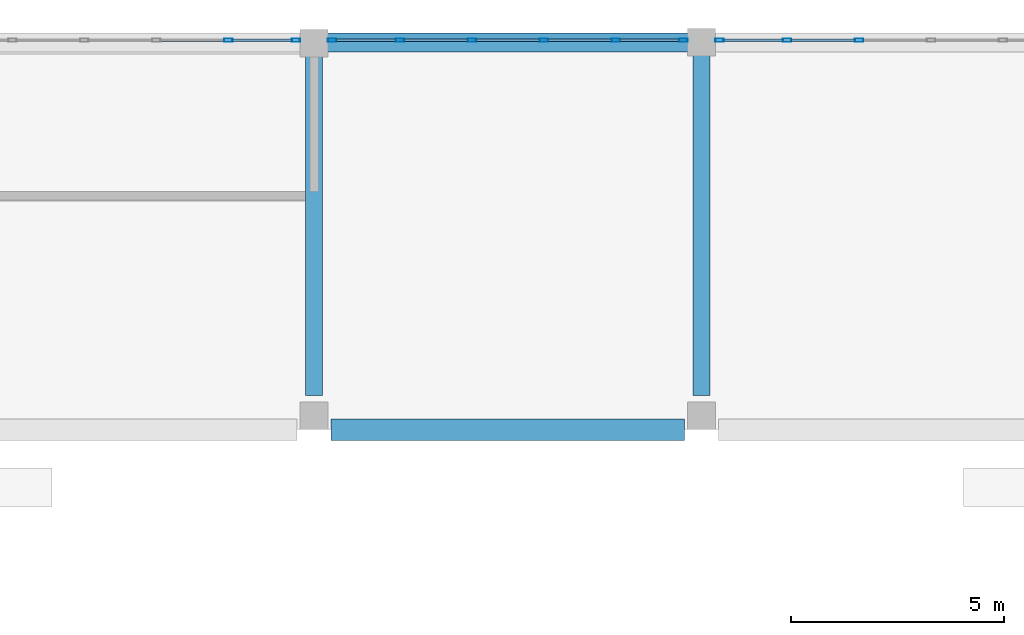
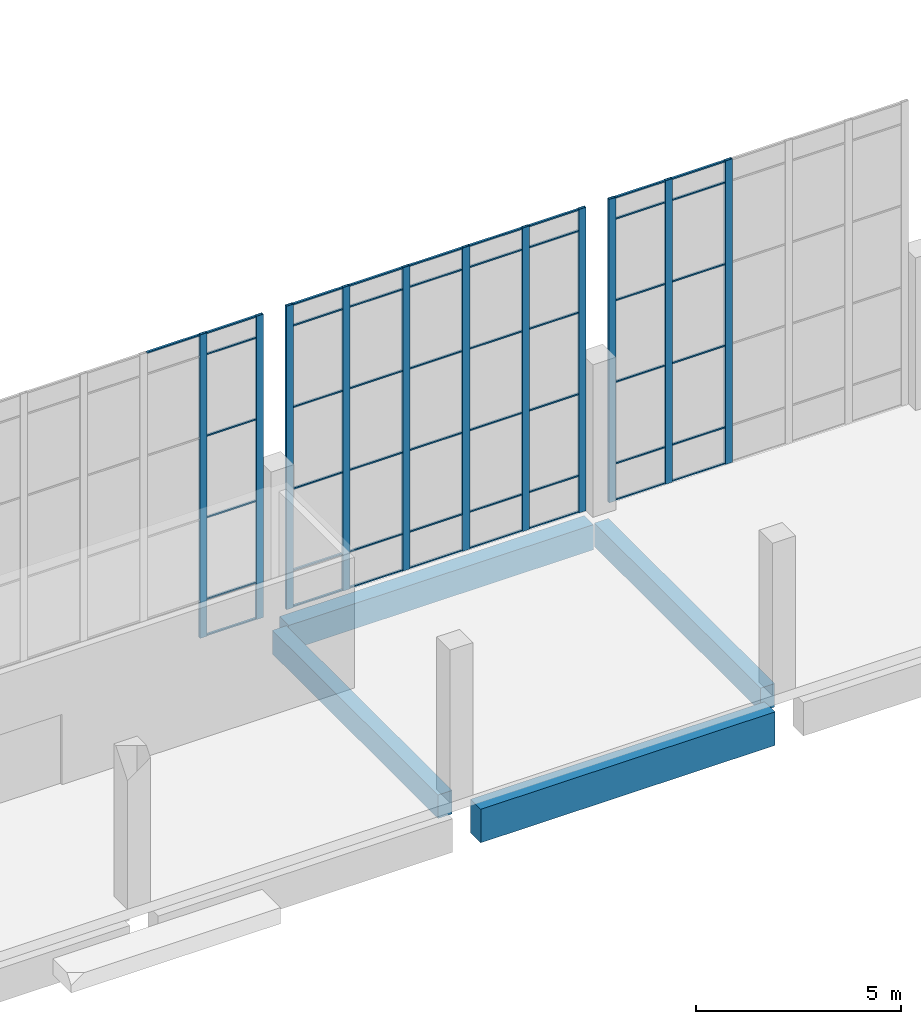
# One storey, part 22 of 91: 60 members, 4 beams, 3 elements without a shape of their own.
"""IFC4 building model written with IfcOpenShell, lengths in metres."""

import ifcopenshell
import ifcopenshell.guid

model = None  # the IFC model being written
_history = None  # IfcOwnerHistory: only IFC2X3 demands one
_inside = {}  # id of a spatial element -> (the spatial element, [elements in it])
_under = {}  # id of a project, library or spatial element -> (it, [spatial elements below it])
_declared = {}  # id of a project -> (the project, [libraries it declares])
_typed = {}  # id of a type object -> (the type object, [elements of that type])
_made_of = {}  # id of a material, layer set ... -> (it, [elements and type objects made of it])


def new_model(schema):
    """Start an empty IFC model of exactly this schema.

    Asked for "IFC4X3", IfcOpenShell would pick the latest addendum, in which some entities
    have other attributes; the version numbers below select the first issue.
    IFC2X3 requires an IfcOwnerHistory on every rooted entity: one is made here for all.
    """
    global model, _history
    if schema == "IFC4X3":
        model = ifcopenshell.file(schema_version=(4, 3, 0, 0))
    else:
        model = ifcopenshell.file(schema=schema)
    _inside.clear()
    _under.clear()
    _declared.clear()
    _typed.clear()
    _made_of.clear()
    _history = None
    if model.schema == "IFC2X3":
        org = make("IfcOrganization", Name="unknown")
        user = make(
            "IfcPersonAndOrganization",
            ThePerson=make("IfcPerson", FamilyName="unknown"),
            TheOrganization=org,
        )
        app = make(
            "IfcApplication",
            ApplicationDeveloper=org,
            Version="unknown",
            ApplicationFullName="unknown",
            ApplicationIdentifier="unknown",
        )
        _history = make(
            "IfcOwnerHistory",
            OwningUser=user,
            OwningApplication=app,
            ChangeAction="ADDED",
            CreationDate=0,
        )
    return model


def make(cls, **values):
    """One entity of the class cls with the attributes given. An attribute that is None is left unset."""
    return model.create_entity(
        cls, **{name: value for name, value in values.items() if value is not None}
    )


def rooted(cls, **values):
    """An entity with a GlobalId (a new one), such as an element, a storey or a relation."""
    return make(cls, GlobalId=ifcopenshell.guid.new(), OwnerHistory=_history, **values)


def si_unit(unit_type, name, prefix=None):
    """IfcSIUnit, for example si_unit("LENGTHUNIT", "METRE", prefix="MILLI")."""
    return make("IfcSIUnit", UnitType=unit_type, Prefix=prefix, Name=name)


def assignment(units):
    """IfcUnitAssignment: the units of a project."""
    return None if units is None else make("IfcUnitAssignment", Units=units)


def point(xyz):
    """IfcCartesianPoint."""
    return None if xyz is None else make("IfcCartesianPoint", Coordinates=xyz)


def direction(xyz):
    """IfcDirection."""
    return None if xyz is None else make("IfcDirection", DirectionRatios=xyz)


def frame(location, z_axis=None, x_axis=None):
    """IfcAxis2Placement3D, a coordinate frame: its origin and axes. An axis left out is left unset."""
    return make(
        "IfcAxis2Placement3D",
        Location=point(location),
        Axis=direction(z_axis),
        RefDirection=direction(x_axis),
    )


def frame_2d(location, x_axis=None):
    """IfcAxis2Placement2D, a coordinate frame in the plane: its origin and x axis."""
    return make(
        "IfcAxis2Placement2D", Location=point(location), RefDirection=direction(x_axis)
    )


def origin():
    """The frame at (0, 0, 0) with its axes left unset."""
    return frame((0.0, 0.0, 0.0))


def origin_2d():
    """The frame at (0, 0) in the plane with its x axis left unset."""
    return frame_2d((0.0, 0.0))


def place(relative_to, where):
    """IfcLocalPlacement: puts the frame where relative to a parent placement (None: the world)."""
    return make(
        "IfcLocalPlacement", PlacementRelTo=relative_to, RelativePlacement=where
    )


def context(
    kind, dimensions, precision=None, world=None, true_north=None, identifier=None
):
    """IfcGeometricRepresentationContext, for example the 3D "Model" context."""
    return make(
        "IfcGeometricRepresentationContext",
        ContextIdentifier=identifier,
        ContextType=kind,
        CoordinateSpaceDimension=dimensions,
        Precision=precision,
        WorldCoordinateSystem=world,
        TrueNorth=true_north,
    )


def subcontext(parent, identifier, kind, view, scale=None):
    """IfcGeometricRepresentationSubContext, for example "Body" below "Model"."""
    return make(
        "IfcGeometricRepresentationSubContext",
        ContextIdentifier=identifier,
        ContextType=kind,
        ParentContext=parent,
        TargetScale=scale,
        TargetView=view,
    )


def project(units=None, contexts=None):
    """IfcProject with its units and contexts."""
    return rooted(
        "IfcProject",
        Name="project",
        RepresentationContexts=contexts,
        UnitsInContext=assignment(units),
    )


def spatial(cls, under=None, at=None, **own):
    """A site, building, storey or space (cls), placed at a placement, below another one or the project."""
    s = rooted(cls, ObjectPlacement=at, **own)
    if under is not None:
        _under.setdefault(under.id(), (under, []))[1].append(s)
    return s


def profile(cls, at=None, kind="AREA", **sizes):
    """A parametric profile (cls). Its sizes go by their IFC names, for example OverallWidth=200.0."""
    return make(cls, ProfileType=kind, Position=at, **sizes)


def rectangle(**sizes):
    """IfcRectangleProfileDef."""
    return profile("IfcRectangleProfileDef", **sizes)


def hollow_rectangle(**sizes):
    """IfcRectangleHollowProfileDef."""
    return profile("IfcRectangleHollowProfileDef", **sizes)


def extrude(swept, where, along, depth):
    """IfcExtrudedAreaSolid: the profile swept, set in the frame where, extruded along a direction by depth."""
    return make(
        "IfcExtrudedAreaSolid",
        SweptArea=swept,
        Position=where,
        ExtrudedDirection=direction(along),
        Depth=depth,
    )


def shape(context_of_items, identifier, shape_type, items):
    """IfcShapeRepresentation: the items that make up one representation, for example the "Body"."""
    return make(
        "IfcShapeRepresentation",
        ContextOfItems=context_of_items,
        RepresentationIdentifier=identifier,
        RepresentationType=shape_type,
        Items=items,
    )


def material(Name=None, Category=None):
    """IfcMaterial."""
    return make("IfcMaterial", Name=Name, Category=Category)


def layer(
    of_material, thickness, ventilated=None, Name=None, Category=None, Priority=None
):
    """IfcMaterialLayer: one layer of a wall or slab, of a material (None: an air gap)."""
    return make(
        "IfcMaterialLayer",
        Material=of_material,
        LayerThickness=thickness,
        IsVentilated=ventilated,
        Name=Name,
        Category=Category,
        Priority=Priority,
    )


def layer_set(layers, Name=None):
    """IfcMaterialLayerSet."""
    return make("IfcMaterialLayerSet", MaterialLayers=layers, LayerSetName=Name)


def material_profile(
    of_material, cross_section, Name=None, Category=None, Priority=None
):
    """IfcMaterialProfile: a cross section and its material."""
    return make(
        "IfcMaterialProfile",
        Name=Name,
        Material=of_material,
        Profile=cross_section,
        Priority=Priority,
        Category=Category,
    )


def profile_set(profiles, Name=None, composite=None):
    """IfcMaterialProfileSet."""
    return make(
        "IfcMaterialProfileSet",
        Name=Name,
        MaterialProfiles=profiles,
        CompositeProfile=composite,
    )


def made_of(thing, what):
    """Note that an element or type object is made of a material, layer set ...; save() writes the relation."""
    if what is not None:
        _made_of.setdefault(what.id(), (what, []))[1].append(thing)
    return thing


def type_object(cls, material=None, **own):
    """A type object (cls), such as IfcWallType, which elements share."""
    return made_of(rooted(cls, **own), material)


def element(
    cls,
    number,
    at=None,
    inside=None,
    cuts=None,
    type_object=None,
    material=None,
    context=None,
    identifier="Body",
    shape_type=None,
    held_by="IfcProductDefinitionShape",
    body=None,
    shapes=None,
    **own,
):
    """One element of the class cls, such as IfcWall. Its Tag is "e" and its number.

    at: its placement. inside: the storey or other place that contains it. cuts: it is an
    opening in that element (IfcRelVoidsElement). A single representation is given by context,
    identifier, shape_type and body (its items); several are given by shapes. held_by: the class
    of the entity that holds the representations. save() writes the other relations.
    """
    e = rooted(cls, Tag="e%d" % number, ObjectPlacement=at, **own)
    if body is not None:
        shapes = [shape(context, identifier, shape_type, body)]
    if shapes is not None:
        e.Representation = make(held_by, Representations=shapes)
    if inside is not None:
        _inside.setdefault(inside.id(), (inside, []))[1].append(e)
    if cuts is not None:
        rooted(
            "IfcRelVoidsElement", RelatingBuildingElement=cuts, RelatedOpeningElement=e
        )
    if type_object is not None:
        _typed.setdefault(type_object.id(), (type_object, []))[1].append(e)
    return made_of(e, material)


def aggregate(whole, parts):
    """IfcRelAggregates: a whole, such as a stair, and the parts it consists of."""
    return rooted("IfcRelAggregates", RelatingObject=whole, RelatedObjects=parts)


def save(model, path):
    """Write the relations noted so far, then the file.

    IfcRelAggregates (storeys below a building ...), IfcRelContainedInSpatialStructure (elements
    in a storey), IfcRelDefinesByType, IfcRelAssociatesMaterial and IfcRelDeclares: one each for
    every whole, place, type object, material and project.
    """
    for whole, parts in _under.values():
        aggregate(whole, parts)
    for where, things in _inside.values():
        rooted(
            "IfcRelContainedInSpatialStructure",
            RelatedElements=things,
            RelatingStructure=where,
        )
    for kind, things in _typed.values():
        rooted("IfcRelDefinesByType", RelatedObjects=things, RelatingType=kind)
    for what, things in _made_of.values():
        rooted("IfcRelAssociatesMaterial", RelatedObjects=things, RelatingMaterial=what)
    for by, libraries in _declared.values():
        rooted("IfcRelDeclares", RelatingContext=by, RelatedDefinitions=libraries)
    model.write(path)


model = new_model("IFC4")

# Units and contexts
model_context = context("Model", 3, precision=1e-05, world=origin(), true_north=direction((0.0, 1.0)))
body_context = subcontext(model_context, "Body", "Model", "MODEL_VIEW")
ifc_project = project(units=[si_unit("LENGTHUNIT", "METRE"), si_unit("AREAUNIT", "SQUARE_METRE"), si_unit("VOLUMEUNIT", "CUBIC_METRE"), si_unit("PLANEANGLEUNIT", "RADIAN"), si_unit("MASSUNIT", "GRAM", prefix="KILO")], contexts=[model_context])

# Site, building, storey
site_placement = place(None, origin())
site = spatial("IfcSite", under=ifc_project, at=site_placement, CompositionType="ELEMENT")
building_placement = place(site_placement, origin())
building = spatial("IfcBuilding", under=site, at=building_placement, Name="Shirokan Park Arena", CompositionType="ELEMENT")
storey_placement = place(building_placement, frame((0.0, 0.0, 24.570068359375)))
storey = spatial("IfcBuildingStorey", under=building, at=storey_placement, Name="L05", CompositionType="ELEMENT", Elevation=24.570068359375)

# Curtain wall, members
ifc_material_1 = material(Name="Steel and glass curtain wall", Category="steel")
ifc_layer = layer(ifc_material_1, 0.199951171875)
ifc_layer_set = layer_set([ifc_layer], Name="Steel and glass curtain wall 200 mm")
curtain_wall_type = type_object("IfcCurtainWallType", Name="Curtain wall hall bay 200", PredefinedType="NOTDEFINED", material=ifc_layer_set)
curtain_wall_1_placement = place(storey_placement, origin())
curtain_wall_1 = element("IfcCurtainWall", 1, at=curtain_wall_1_placement, inside=storey, type_object=curtain_wall_type, Name="Curtain wall north bay 6 L05", PredefinedType="NOTDEFINED")
ifc_material_2 = material(Name="Steel S355", Category="steel")
ifc_material_profile_1 = material_profile(ifc_material_2, hollow_rectangle(XDim=0.080078125, YDim=0.199951171875, WallThickness=0.008056640625, at=origin_2d()), Name="RHS 200x80x8")
ifc_profile_set_1 = profile_set([ifc_material_profile_1], Name="Steel S355")
member_type_1 = type_object("IfcMemberType", Name="Mullion RHS 200x80x8", PredefinedType="MULLION", material=ifc_profile_set_1)
member_1_placement = place(storey_placement, frame((94.705078125, 109.25, 0.0), z_axis=(0.0, 0.0, 1.0), x_axis=(0.0, -1.0, 0.0)))
member_1 = element("IfcMember", 2, at=member_1_placement, type_object=member_type_1, Name="CW5 mullion 4", PredefinedType="MULLION", context=body_context, shape_type="SweptSolid", body=[
    extrude(hollow_rectangle(XDim=0.080078125, YDim=0.199951171875, WallThickness=0.008056640625, at=origin_2d()), origin(), (0.0, 0.0, 1.0), 9.050048828125),
])
member_2_placement = place(storey_placement, frame((93.014892578125, 109.25, 0.0), z_axis=(0.0, 0.0, 1.0), x_axis=(0.0, -1.0, 0.0)))
member_2 = element("IfcMember", 3, at=member_2_placement, type_object=member_type_1, Name="CW5 mullion 5", PredefinedType="MULLION", context=body_context, shape_type="SweptSolid", body=[
    extrude(hollow_rectangle(XDim=0.080078125, YDim=0.199951171875, WallThickness=0.008056640625, at=origin_2d()), origin(), (0.0, 0.0, 1.0), 9.050048828125),
])
member_3_placement = place(storey_placement, frame((91.425048828125, 109.25, 0.0), z_axis=(0.0, 0.0, 1.0), x_axis=(0.0, -1.0, 0.0)))
member_3 = element("IfcMember", 4, at=member_3_placement, type_object=member_type_1, Name="CW5 mullion 6", PredefinedType="MULLION", context=body_context, shape_type="SweptSolid", body=[
    extrude(hollow_rectangle(XDim=0.080078125, YDim=0.199951171875, WallThickness=0.008056640625, at=origin_2d()), origin(), (0.0, 0.0, 1.0), 9.050048828125),
])

curtain_wall_2_placement = place(storey_placement, origin())
curtain_wall_2 = element("IfcCurtainWall", 5, at=curtain_wall_2_placement, inside=storey, type_object=curtain_wall_type, Name="Curtain wall north bay 7 L05", PredefinedType="NOTDEFINED")
member_4_placement = place(storey_placement, frame((90.574951171875, 109.25, 0.0), z_axis=(0.0, 0.0, 1.0), x_axis=(0.0, -1.0, 0.0)))
member_4 = element("IfcMember", 6, at=member_4_placement, type_object=member_type_1, Name="CW5 mullion 1", PredefinedType="MULLION", context=body_context, shape_type="SweptSolid", body=[
    extrude(hollow_rectangle(XDim=0.080078125, YDim=0.199951171875, WallThickness=0.008056640625, at=origin_2d()), origin(), (0.0, 0.0, 1.0), 9.050048828125),
])
member_5_placement = place(storey_placement, frame((88.985107421875, 109.25, 0.0), z_axis=(0.0, 0.0, 1.0), x_axis=(0.0, -1.0, 0.0)))
member_5 = element("IfcMember", 7, at=member_5_placement, type_object=member_type_1, Name="CW5 mullion 2", PredefinedType="MULLION", context=body_context, shape_type="SweptSolid", body=[
    extrude(hollow_rectangle(XDim=0.080078125, YDim=0.199951171875, WallThickness=0.008056640625, at=origin_2d()), origin(), (0.0, 0.0, 1.0), 9.050048828125),
])
member_6_placement = place(storey_placement, frame((87.294921875, 109.25, 0.0), z_axis=(0.0, 0.0, 1.0), x_axis=(0.0, -1.0, 0.0)))
member_6 = element("IfcMember", 8, at=member_6_placement, type_object=member_type_1, Name="CW5 mullion 3", PredefinedType="MULLION", context=body_context, shape_type="SweptSolid", body=[
    extrude(hollow_rectangle(XDim=0.080078125, YDim=0.199951171875, WallThickness=0.008056640625, at=origin_2d()), origin(), (0.0, 0.0, 1.0), 9.050048828125),
])
member_7_placement = place(storey_placement, frame((85.60498046875, 109.25, 0.0), z_axis=(0.0, 0.0, 1.0), x_axis=(0.0, -1.0, 0.0)))
member_7 = element("IfcMember", 9, at=member_7_placement, type_object=member_type_1, Name="CW5 mullion 4", PredefinedType="MULLION", context=body_context, shape_type="SweptSolid", body=[
    extrude(hollow_rectangle(XDim=0.080078125, YDim=0.199951171875, WallThickness=0.008056640625, at=origin_2d()), origin(), (0.0, 0.0, 1.0), 9.050048828125),
])
member_8_placement = place(storey_placement, frame((83.9150390625, 109.25, 0.0), z_axis=(0.0, 0.0, 1.0), x_axis=(0.0, -1.0, 0.0)))
member_8 = element("IfcMember", 10, at=member_8_placement, type_object=member_type_1, Name="CW5 mullion 5", PredefinedType="MULLION", context=body_context, shape_type="SweptSolid", body=[
    extrude(hollow_rectangle(XDim=0.080078125, YDim=0.199951171875, WallThickness=0.008056640625, at=origin_2d()), origin(), (0.0, 0.0, 1.0), 9.050048828125),
])
member_9_placement = place(storey_placement, frame((82.324951171875, 109.25, 0.0), z_axis=(0.0, 0.0, 1.0), x_axis=(0.0, -1.0, 0.0)))
member_9 = element("IfcMember", 11, at=member_9_placement, type_object=member_type_1, Name="CW5 mullion 6", PredefinedType="MULLION", context=body_context, shape_type="SweptSolid", body=[
    extrude(hollow_rectangle(XDim=0.080078125, YDim=0.199951171875, WallThickness=0.008056640625, at=origin_2d()), origin(), (0.0, 0.0, 1.0), 9.050048828125),
])

curtain_wall_3_placement = place(storey_placement, origin())
curtain_wall_3 = element("IfcCurtainWall", 12, at=curtain_wall_3_placement, inside=storey, type_object=curtain_wall_type, Name="Curtain wall north bay 8 L05", PredefinedType="NOTDEFINED")
member_10_placement = place(storey_placement, frame((81.47509765625, 109.25, 0.0), z_axis=(0.0, 0.0, 1.0), x_axis=(0.0, -1.0, 0.0)))
member_10 = element("IfcMember", 13, at=member_10_placement, type_object=member_type_1, Name="CW5 mullion 1", PredefinedType="MULLION", context=body_context, shape_type="SweptSolid", body=[
    extrude(hollow_rectangle(XDim=0.080078125, YDim=0.199951171875, WallThickness=0.008056640625, at=origin_2d()), origin(), (0.0, 0.0, 1.0), 9.050048828125),
])
member_11_placement = place(storey_placement, frame((79.885009765625, 109.25, 0.0), z_axis=(0.0, 0.0, 1.0), x_axis=(0.0, -1.0, 0.0)))
member_11 = element("IfcMember", 14, at=member_11_placement, type_object=member_type_1, Name="CW5 mullion 2", PredefinedType="MULLION", context=body_context, shape_type="SweptSolid", body=[
    extrude(hollow_rectangle(XDim=0.080078125, YDim=0.199951171875, WallThickness=0.008056640625, at=origin_2d()), origin(), (0.0, 0.0, 1.0), 9.050048828125),
])

# Beams
ifc_material_3 = material(Name="Concrete C35", Category="concrete")
ifc_material_profile_2 = material_profile(ifc_material_3, rectangle(XDim=0.39990234375, YDim=0.699951171875, at=origin_2d()), Name="400x700")
ifc_profile_set_2 = profile_set([ifc_material_profile_2], Name="Concrete C35")
beam_type_1 = type_object("IfcBeamType", Name="RC girder 400x700", PredefinedType="BEAM", material=ifc_profile_set_2)
beam_1_placement = place(storey_placement, frame((81.89990234375, 100.900146484375, -0.650146484375), z_axis=(0.0, 1.0, 0.0), x_axis=(-1.0, 0.0, 0.0)))
element("IfcBeam", 15, at=beam_1_placement, inside=storey, type_object=beam_type_1, Name="Girder 10M-10N L05", PredefinedType="BEAM", context=body_context, shape_type="SweptSolid", body=[
    extrude(rectangle(XDim=0.39990234375, YDim=0.699951171875, at=origin_2d()), origin(), (0.0, 0.0, 1.0), 8.099853515625),
])
beam_2_placement = place(storey_placement, frame((91.0, 100.900146484375, -0.650146484375), z_axis=(0.0, 1.0, 0.0), x_axis=(-1.0, 0.0, 0.0)))
element("IfcBeam", 16, at=beam_2_placement, inside=storey, type_object=beam_type_1, Name="Girder 11M-11N L05", PredefinedType="BEAM", context=body_context, shape_type="SweptSolid", body=[
    extrude(rectangle(XDim=0.39990234375, YDim=0.699951171875, at=origin_2d()), origin(), (0.0, 0.0, 1.0), 8.124755859375),
])
ifc_material_profile_3 = material_profile(ifc_material_3, rectangle(XDim=0.449951171875, YDim=0.75, at=origin_2d()), Name="450x750")
ifc_profile_set_3 = profile_set([ifc_material_profile_3], Name="Concrete C35")
beam_type_2 = type_object("IfcBeamType", Name="RC girder 450x750", PredefinedType="BEAM", material=ifc_profile_set_3)
beam_3_placement = place(storey_placement, frame((82.150146484375, 109.199951171875, -0.675048828125), z_axis=(1.0, 0.0, 0.0), x_axis=(0.0, 1.0, 0.0)))
element("IfcBeam", 17, at=beam_3_placement, inside=storey, type_object=beam_type_2, Name="Girder 10N-11N L05", PredefinedType="BEAM", context=body_context, shape_type="SweptSolid", body=[
    extrude(rectangle(XDim=0.449951171875, YDim=0.75, at=origin_2d()), origin(), (0.0, 0.0, 1.0), 8.599853515625),
])
ifc_material_profile_4 = material_profile(ifc_material_3, rectangle(XDim=0.5, YDim=1.0, at=origin_2d()), Name="500x1000")
ifc_profile_set_4 = profile_set([ifc_material_profile_4], Name="Concrete C35")
beam_type_3 = type_object("IfcBeamType", Name="RC girder 500x1000", PredefinedType="BEAM", material=ifc_profile_set_4)
beam_4_placement = place(storey_placement, frame((82.300048828125, 100.10009765625, -0.800048828125), z_axis=(1.0, 0.0, 0.0), x_axis=(0.0, 1.0, 0.0)))
element("IfcBeam", 18, at=beam_4_placement, inside=storey, type_object=beam_type_3, Name="Girder 10M-11M L05", PredefinedType="BEAM", context=body_context, shape_type="SweptSolid", body=[
    extrude(rectangle(XDim=0.5, YDim=1.0, at=origin_2d()), origin(), (0.0, 0.0, 1.0), 8.2998046875),
])

# Member
ifc_material_profile_5 = material_profile(ifc_material_2, hollow_rectangle(XDim=0.06005859375, YDim=0.0400390625, WallThickness=0.00390625, at=origin_2d()), Name="RHS 60x40x4")
ifc_profile_set_5 = profile_set([ifc_material_profile_5], Name="Steel S355")
member_type_2 = type_object("IfcMemberType", Name="Transom RHS 60x40x4", PredefinedType="MULLION", material=ifc_profile_set_5)
member_12_placement = place(storey_placement, frame((94.60498046875, 109.25, 0.02001953125), z_axis=(-1.0, 0.0, 0.0), x_axis=(0.0, -1.0, 0.0)))
member_12 = element("IfcMember", 19, at=member_12_placement, type_object=member_type_2, Name="CW5 transom 4.1", PredefinedType="MULLION", context=body_context, shape_type="SweptSolid", body=[
    extrude(hollow_rectangle(XDim=0.06005859375, YDim=0.0400390625, WallThickness=0.00390625, at=origin_2d()), origin(), (0.0, 0.0, 1.0), 1.489990234375),
])

member_13_placement = place(storey_placement, frame((94.60498046875, 109.25, 1.099853515625), z_axis=(-1.0, 0.0, 0.0), x_axis=(0.0, -1.0, 0.0)))
member_13 = element("IfcMember", 20, at=member_13_placement, type_object=member_type_2, Name="CW5 transom 4.2", PredefinedType="MULLION", context=body_context, shape_type="SweptSolid", body=[
    extrude(hollow_rectangle(XDim=0.06005859375, YDim=0.0400390625, WallThickness=0.00390625, at=origin_2d()), origin(), (0.0, 0.0, 1.0), 1.489990234375),
])

member_14_placement = place(storey_placement, frame((94.60498046875, 109.25, 3.533203125), z_axis=(-1.0, 0.0, 0.0), x_axis=(0.0, -1.0, 0.0)))
member_14 = element("IfcMember", 21, at=member_14_placement, type_object=member_type_2, Name="CW5 transom 4.3", PredefinedType="MULLION", context=body_context, shape_type="SweptSolid", body=[
    extrude(hollow_rectangle(XDim=0.06005859375, YDim=0.0400390625, WallThickness=0.00390625, at=origin_2d()), origin(), (0.0, 0.0, 1.0), 1.489990234375),
])

member_15_placement = place(storey_placement, frame((94.60498046875, 109.25, 5.966552734375), z_axis=(-1.0, 0.0, 0.0), x_axis=(0.0, -1.0, 0.0)))
member_15 = element("IfcMember", 22, at=member_15_placement, type_object=member_type_2, Name="CW5 transom 4.4", PredefinedType="MULLION", context=body_context, shape_type="SweptSolid", body=[
    extrude(hollow_rectangle(XDim=0.06005859375, YDim=0.0400390625, WallThickness=0.00390625, at=origin_2d()), origin(), (0.0, 0.0, 1.0), 1.489990234375),
])

member_16_placement = place(storey_placement, frame((94.60498046875, 109.25, 8.39990234375), z_axis=(-1.0, 0.0, 0.0), x_axis=(0.0, -1.0, 0.0)))
member_16 = element("IfcMember", 23, at=member_16_placement, type_object=member_type_2, Name="CW5 transom 4.5", PredefinedType="MULLION", context=body_context, shape_type="SweptSolid", body=[
    extrude(hollow_rectangle(XDim=0.06005859375, YDim=0.0400390625, WallThickness=0.00390625, at=origin_2d()), origin(), (0.0, 0.0, 1.0), 1.489990234375),
])

member_17_placement = place(storey_placement, frame((94.60498046875, 109.25, 9.030029296875), z_axis=(-1.0, 0.0, 0.0), x_axis=(0.0, -1.0, 0.0)))
member_17 = element("IfcMember", 24, at=member_17_placement, type_object=member_type_2, Name="CW5 transom 4.6", PredefinedType="MULLION", context=body_context, shape_type="SweptSolid", body=[
    extrude(hollow_rectangle(XDim=0.06005859375, YDim=0.0400390625, WallThickness=0.00390625, at=origin_2d()), origin(), (0.0, 0.0, 1.0), 1.489990234375),
])

member_18_placement = place(storey_placement, frame((92.9150390625, 109.25, 0.02001953125), z_axis=(-1.0, 0.0, 0.0), x_axis=(0.0, -1.0, 0.0)))
member_18 = element("IfcMember", 25, at=member_18_placement, type_object=member_type_2, Name="CW5 transom 5.1", PredefinedType="MULLION", context=body_context, shape_type="SweptSolid", body=[
    extrude(hollow_rectangle(XDim=0.06005859375, YDim=0.0400390625, WallThickness=0.00390625, at=origin_2d()), origin(), (0.0, 0.0, 1.0), 1.39013671875),
])

member_19_placement = place(storey_placement, frame((92.9150390625, 109.25, 1.099853515625), z_axis=(-1.0, 0.0, 0.0), x_axis=(0.0, -1.0, 0.0)))
member_19 = element("IfcMember", 26, at=member_19_placement, type_object=member_type_2, Name="CW5 transom 5.2", PredefinedType="MULLION", context=body_context, shape_type="SweptSolid", body=[
    extrude(hollow_rectangle(XDim=0.06005859375, YDim=0.0400390625, WallThickness=0.00390625, at=origin_2d()), origin(), (0.0, 0.0, 1.0), 1.39013671875),
])

member_20_placement = place(storey_placement, frame((92.9150390625, 109.25, 3.533203125), z_axis=(-1.0, 0.0, 0.0), x_axis=(0.0, -1.0, 0.0)))
member_20 = element("IfcMember", 27, at=member_20_placement, type_object=member_type_2, Name="CW5 transom 5.3", PredefinedType="MULLION", context=body_context, shape_type="SweptSolid", body=[
    extrude(hollow_rectangle(XDim=0.06005859375, YDim=0.0400390625, WallThickness=0.00390625, at=origin_2d()), origin(), (0.0, 0.0, 1.0), 1.39013671875),
])

member_21_placement = place(storey_placement, frame((92.9150390625, 109.25, 5.966552734375), z_axis=(-1.0, 0.0, 0.0), x_axis=(0.0, -1.0, 0.0)))
member_21 = element("IfcMember", 28, at=member_21_placement, type_object=member_type_2, Name="CW5 transom 5.4", PredefinedType="MULLION", context=body_context, shape_type="SweptSolid", body=[
    extrude(hollow_rectangle(XDim=0.06005859375, YDim=0.0400390625, WallThickness=0.00390625, at=origin_2d()), origin(), (0.0, 0.0, 1.0), 1.39013671875),
])

member_22_placement = place(storey_placement, frame((92.9150390625, 109.25, 8.39990234375), z_axis=(-1.0, 0.0, 0.0), x_axis=(0.0, -1.0, 0.0)))
member_22 = element("IfcMember", 29, at=member_22_placement, type_object=member_type_2, Name="CW5 transom 5.5", PredefinedType="MULLION", context=body_context, shape_type="SweptSolid", body=[
    extrude(hollow_rectangle(XDim=0.06005859375, YDim=0.0400390625, WallThickness=0.00390625, at=origin_2d()), origin(), (0.0, 0.0, 1.0), 1.39013671875),
])

member_23_placement = place(storey_placement, frame((92.9150390625, 109.25, 9.030029296875), z_axis=(-1.0, 0.0, 0.0), x_axis=(0.0, -1.0, 0.0)))
member_23 = element("IfcMember", 30, at=member_23_placement, type_object=member_type_2, Name="CW5 transom 5.6", PredefinedType="MULLION", context=body_context, shape_type="SweptSolid", body=[
    extrude(hollow_rectangle(XDim=0.06005859375, YDim=0.0400390625, WallThickness=0.00390625, at=origin_2d()), origin(), (0.0, 0.0, 1.0), 1.39013671875),
])

aggregate(curtain_wall_1, [member_1, member_2, member_3, member_12, member_13, member_14, member_15, member_16, member_17, member_18, member_19, member_20, member_21, member_22, member_23])

member_24_placement = place(storey_placement, frame((90.47509765625, 109.25, 0.02001953125), z_axis=(-1.0, 0.0, 0.0), x_axis=(0.0, -1.0, 0.0)))
member_24 = element("IfcMember", 31, at=member_24_placement, type_object=member_type_2, Name="CW5 transom 1.1", PredefinedType="MULLION", context=body_context, shape_type="SweptSolid", body=[
    extrude(hollow_rectangle(XDim=0.06005859375, YDim=0.0400390625, WallThickness=0.00390625, at=origin_2d()), origin(), (0.0, 0.0, 1.0), 1.39013671875),
])

member_25_placement = place(storey_placement, frame((90.47509765625, 109.25, 1.099853515625), z_axis=(-1.0, 0.0, 0.0), x_axis=(0.0, -1.0, 0.0)))
member_25 = element("IfcMember", 32, at=member_25_placement, type_object=member_type_2, Name="CW5 transom 1.2", PredefinedType="MULLION", context=body_context, shape_type="SweptSolid", body=[
    extrude(hollow_rectangle(XDim=0.06005859375, YDim=0.0400390625, WallThickness=0.00390625, at=origin_2d()), origin(), (0.0, 0.0, 1.0), 1.39013671875),
])

member_26_placement = place(storey_placement, frame((90.47509765625, 109.25, 3.533203125), z_axis=(-1.0, 0.0, 0.0), x_axis=(0.0, -1.0, 0.0)))
member_26 = element("IfcMember", 33, at=member_26_placement, type_object=member_type_2, Name="CW5 transom 1.3", PredefinedType="MULLION", context=body_context, shape_type="SweptSolid", body=[
    extrude(hollow_rectangle(XDim=0.06005859375, YDim=0.0400390625, WallThickness=0.00390625, at=origin_2d()), origin(), (0.0, 0.0, 1.0), 1.39013671875),
])

member_27_placement = place(storey_placement, frame((90.47509765625, 109.25, 5.966552734375), z_axis=(-1.0, 0.0, 0.0), x_axis=(0.0, -1.0, 0.0)))
member_27 = element("IfcMember", 34, at=member_27_placement, type_object=member_type_2, Name="CW5 transom 1.4", PredefinedType="MULLION", context=body_context, shape_type="SweptSolid", body=[
    extrude(hollow_rectangle(XDim=0.06005859375, YDim=0.0400390625, WallThickness=0.00390625, at=origin_2d()), origin(), (0.0, 0.0, 1.0), 1.39013671875),
])

member_28_placement = place(storey_placement, frame((90.47509765625, 109.25, 8.39990234375), z_axis=(-1.0, 0.0, 0.0), x_axis=(0.0, -1.0, 0.0)))
member_28 = element("IfcMember", 35, at=member_28_placement, type_object=member_type_2, Name="CW5 transom 1.5", PredefinedType="MULLION", context=body_context, shape_type="SweptSolid", body=[
    extrude(hollow_rectangle(XDim=0.06005859375, YDim=0.0400390625, WallThickness=0.00390625, at=origin_2d()), origin(), (0.0, 0.0, 1.0), 1.39013671875),
])

member_29_placement = place(storey_placement, frame((90.47509765625, 109.25, 9.030029296875), z_axis=(-1.0, 0.0, 0.0), x_axis=(0.0, -1.0, 0.0)))
member_29 = element("IfcMember", 36, at=member_29_placement, type_object=member_type_2, Name="CW5 transom 1.6", PredefinedType="MULLION", context=body_context, shape_type="SweptSolid", body=[
    extrude(hollow_rectangle(XDim=0.06005859375, YDim=0.0400390625, WallThickness=0.00390625, at=origin_2d()), origin(), (0.0, 0.0, 1.0), 1.39013671875),
])

member_30_placement = place(storey_placement, frame((88.885009765625, 109.25, 0.02001953125), z_axis=(-1.0, 0.0, 0.0), x_axis=(0.0, -1.0, 0.0)))
member_30 = element("IfcMember", 37, at=member_30_placement, type_object=member_type_2, Name="CW5 transom 2.1", PredefinedType="MULLION", context=body_context, shape_type="SweptSolid", body=[
    extrude(hollow_rectangle(XDim=0.06005859375, YDim=0.0400390625, WallThickness=0.00390625, at=origin_2d()), origin(), (0.0, 0.0, 1.0), 1.489990234375),
])

member_31_placement = place(storey_placement, frame((88.885009765625, 109.25, 1.099853515625), z_axis=(-1.0, 0.0, 0.0), x_axis=(0.0, -1.0, 0.0)))
member_31 = element("IfcMember", 38, at=member_31_placement, type_object=member_type_2, Name="CW5 transom 2.2", PredefinedType="MULLION", context=body_context, shape_type="SweptSolid", body=[
    extrude(hollow_rectangle(XDim=0.06005859375, YDim=0.0400390625, WallThickness=0.00390625, at=origin_2d()), origin(), (0.0, 0.0, 1.0), 1.489990234375),
])

member_32_placement = place(storey_placement, frame((88.885009765625, 109.25, 3.533203125), z_axis=(-1.0, 0.0, 0.0), x_axis=(0.0, -1.0, 0.0)))
member_32 = element("IfcMember", 39, at=member_32_placement, type_object=member_type_2, Name="CW5 transom 2.3", PredefinedType="MULLION", context=body_context, shape_type="SweptSolid", body=[
    extrude(hollow_rectangle(XDim=0.06005859375, YDim=0.0400390625, WallThickness=0.00390625, at=origin_2d()), origin(), (0.0, 0.0, 1.0), 1.489990234375),
])

member_33_placement = place(storey_placement, frame((88.885009765625, 109.25, 5.966552734375), z_axis=(-1.0, 0.0, 0.0), x_axis=(0.0, -1.0, 0.0)))
member_33 = element("IfcMember", 40, at=member_33_placement, type_object=member_type_2, Name="CW5 transom 2.4", PredefinedType="MULLION", context=body_context, shape_type="SweptSolid", body=[
    extrude(hollow_rectangle(XDim=0.06005859375, YDim=0.0400390625, WallThickness=0.00390625, at=origin_2d()), origin(), (0.0, 0.0, 1.0), 1.489990234375),
])

member_34_placement = place(storey_placement, frame((88.885009765625, 109.25, 8.39990234375), z_axis=(-1.0, 0.0, 0.0), x_axis=(0.0, -1.0, 0.0)))
member_34 = element("IfcMember", 41, at=member_34_placement, type_object=member_type_2, Name="CW5 transom 2.5", PredefinedType="MULLION", context=body_context, shape_type="SweptSolid", body=[
    extrude(hollow_rectangle(XDim=0.06005859375, YDim=0.0400390625, WallThickness=0.00390625, at=origin_2d()), origin(), (0.0, 0.0, 1.0), 1.489990234375),
])

member_35_placement = place(storey_placement, frame((88.885009765625, 109.25, 9.030029296875), z_axis=(-1.0, 0.0, 0.0), x_axis=(0.0, -1.0, 0.0)))
member_35 = element("IfcMember", 42, at=member_35_placement, type_object=member_type_2, Name="CW5 transom 2.6", PredefinedType="MULLION", context=body_context, shape_type="SweptSolid", body=[
    extrude(hollow_rectangle(XDim=0.06005859375, YDim=0.0400390625, WallThickness=0.00390625, at=origin_2d()), origin(), (0.0, 0.0, 1.0), 1.489990234375),
])

member_36_placement = place(storey_placement, frame((87.195068359375, 109.25, 0.02001953125), z_axis=(-1.0, 0.0, 0.0), x_axis=(0.0, -1.0, 0.0)))
member_36 = element("IfcMember", 43, at=member_36_placement, type_object=member_type_2, Name="CW5 transom 3.1", PredefinedType="MULLION", context=body_context, shape_type="SweptSolid", body=[
    extrude(hollow_rectangle(XDim=0.06005859375, YDim=0.0400390625, WallThickness=0.00390625, at=origin_2d()), origin(), (0.0, 0.0, 1.0), 1.489990234375),
])

member_37_placement = place(storey_placement, frame((87.195068359375, 109.25, 1.099853515625), z_axis=(-1.0, 0.0, 0.0), x_axis=(0.0, -1.0, 0.0)))
member_37 = element("IfcMember", 44, at=member_37_placement, type_object=member_type_2, Name="CW5 transom 3.2", PredefinedType="MULLION", context=body_context, shape_type="SweptSolid", body=[
    extrude(hollow_rectangle(XDim=0.06005859375, YDim=0.0400390625, WallThickness=0.00390625, at=origin_2d()), origin(), (0.0, 0.0, 1.0), 1.489990234375),
])

member_38_placement = place(storey_placement, frame((87.195068359375, 109.25, 3.533203125), z_axis=(-1.0, 0.0, 0.0), x_axis=(0.0, -1.0, 0.0)))
member_38 = element("IfcMember", 45, at=member_38_placement, type_object=member_type_2, Name="CW5 transom 3.3", PredefinedType="MULLION", context=body_context, shape_type="SweptSolid", body=[
    extrude(hollow_rectangle(XDim=0.06005859375, YDim=0.0400390625, WallThickness=0.00390625, at=origin_2d()), origin(), (0.0, 0.0, 1.0), 1.489990234375),
])

member_39_placement = place(storey_placement, frame((87.195068359375, 109.25, 5.966552734375), z_axis=(-1.0, 0.0, 0.0), x_axis=(0.0, -1.0, 0.0)))
member_39 = element("IfcMember", 46, at=member_39_placement, type_object=member_type_2, Name="CW5 transom 3.4", PredefinedType="MULLION", context=body_context, shape_type="SweptSolid", body=[
    extrude(hollow_rectangle(XDim=0.06005859375, YDim=0.0400390625, WallThickness=0.00390625, at=origin_2d()), origin(), (0.0, 0.0, 1.0), 1.489990234375),
])

member_40_placement = place(storey_placement, frame((87.195068359375, 109.25, 8.39990234375), z_axis=(-1.0, 0.0, 0.0), x_axis=(0.0, -1.0, 0.0)))
member_40 = element("IfcMember", 47, at=member_40_placement, type_object=member_type_2, Name="CW5 transom 3.5", PredefinedType="MULLION", context=body_context, shape_type="SweptSolid", body=[
    extrude(hollow_rectangle(XDim=0.06005859375, YDim=0.0400390625, WallThickness=0.00390625, at=origin_2d()), origin(), (0.0, 0.0, 1.0), 1.489990234375),
])

member_41_placement = place(storey_placement, frame((87.195068359375, 109.25, 9.030029296875), z_axis=(-1.0, 0.0, 0.0), x_axis=(0.0, -1.0, 0.0)))
member_41 = element("IfcMember", 48, at=member_41_placement, type_object=member_type_2, Name="CW5 transom 3.6", PredefinedType="MULLION", context=body_context, shape_type="SweptSolid", body=[
    extrude(hollow_rectangle(XDim=0.06005859375, YDim=0.0400390625, WallThickness=0.00390625, at=origin_2d()), origin(), (0.0, 0.0, 1.0), 1.489990234375),
])

member_42_placement = place(storey_placement, frame((85.5048828125, 109.25, 0.02001953125), z_axis=(-1.0, 0.0, 0.0), x_axis=(0.0, -1.0, 0.0)))
member_42 = element("IfcMember", 49, at=member_42_placement, type_object=member_type_2, Name="CW5 transom 4.1", PredefinedType="MULLION", context=body_context, shape_type="SweptSolid", body=[
    extrude(hollow_rectangle(XDim=0.06005859375, YDim=0.0400390625, WallThickness=0.00390625, at=origin_2d()), origin(), (0.0, 0.0, 1.0), 1.489990234375),
])

member_43_placement = place(storey_placement, frame((85.5048828125, 109.25, 1.099853515625), z_axis=(-1.0, 0.0, 0.0), x_axis=(0.0, -1.0, 0.0)))
member_43 = element("IfcMember", 50, at=member_43_placement, type_object=member_type_2, Name="CW5 transom 4.2", PredefinedType="MULLION", context=body_context, shape_type="SweptSolid", body=[
    extrude(hollow_rectangle(XDim=0.06005859375, YDim=0.0400390625, WallThickness=0.00390625, at=origin_2d()), origin(), (0.0, 0.0, 1.0), 1.489990234375),
])

member_44_placement = place(storey_placement, frame((85.5048828125, 109.25, 3.533203125), z_axis=(-1.0, 0.0, 0.0), x_axis=(0.0, -1.0, 0.0)))
member_44 = element("IfcMember", 51, at=member_44_placement, type_object=member_type_2, Name="CW5 transom 4.3", PredefinedType="MULLION", context=body_context, shape_type="SweptSolid", body=[
    extrude(hollow_rectangle(XDim=0.06005859375, YDim=0.0400390625, WallThickness=0.00390625, at=origin_2d()), origin(), (0.0, 0.0, 1.0), 1.489990234375),
])

member_45_placement = place(storey_placement, frame((85.5048828125, 109.25, 5.966552734375), z_axis=(-1.0, 0.0, 0.0), x_axis=(0.0, -1.0, 0.0)))
member_45 = element("IfcMember", 52, at=member_45_placement, type_object=member_type_2, Name="CW5 transom 4.4", PredefinedType="MULLION", context=body_context, shape_type="SweptSolid", body=[
    extrude(hollow_rectangle(XDim=0.06005859375, YDim=0.0400390625, WallThickness=0.00390625, at=origin_2d()), origin(), (0.0, 0.0, 1.0), 1.489990234375),
])

member_46_placement = place(storey_placement, frame((85.5048828125, 109.25, 8.39990234375), z_axis=(-1.0, 0.0, 0.0), x_axis=(0.0, -1.0, 0.0)))
member_46 = element("IfcMember", 53, at=member_46_placement, type_object=member_type_2, Name="CW5 transom 4.5", PredefinedType="MULLION", context=body_context, shape_type="SweptSolid", body=[
    extrude(hollow_rectangle(XDim=0.06005859375, YDim=0.0400390625, WallThickness=0.00390625, at=origin_2d()), origin(), (0.0, 0.0, 1.0), 1.489990234375),
])

member_47_placement = place(storey_placement, frame((85.5048828125, 109.25, 9.030029296875), z_axis=(-1.0, 0.0, 0.0), x_axis=(0.0, -1.0, 0.0)))
member_47 = element("IfcMember", 54, at=member_47_placement, type_object=member_type_2, Name="CW5 transom 4.6", PredefinedType="MULLION", context=body_context, shape_type="SweptSolid", body=[
    extrude(hollow_rectangle(XDim=0.06005859375, YDim=0.0400390625, WallThickness=0.00390625, at=origin_2d()), origin(), (0.0, 0.0, 1.0), 1.489990234375),
])

member_48_placement = place(storey_placement, frame((83.81494140625, 109.25, 0.02001953125), z_axis=(-1.0, 0.0, 0.0), x_axis=(0.0, -1.0, 0.0)))
member_48 = element("IfcMember", 55, at=member_48_placement, type_object=member_type_2, Name="CW5 transom 5.1", PredefinedType="MULLION", context=body_context, shape_type="SweptSolid", body=[
    extrude(hollow_rectangle(XDim=0.06005859375, YDim=0.0400390625, WallThickness=0.00390625, at=origin_2d()), origin(), (0.0, 0.0, 1.0), 1.389892578125),
])

member_49_placement = place(storey_placement, frame((83.81494140625, 109.25, 1.099853515625), z_axis=(-1.0, 0.0, 0.0), x_axis=(0.0, -1.0, 0.0)))
member_49 = element("IfcMember", 56, at=member_49_placement, type_object=member_type_2, Name="CW5 transom 5.2", PredefinedType="MULLION", context=body_context, shape_type="SweptSolid", body=[
    extrude(hollow_rectangle(XDim=0.06005859375, YDim=0.0400390625, WallThickness=0.00390625, at=origin_2d()), origin(), (0.0, 0.0, 1.0), 1.389892578125),
])

member_50_placement = place(storey_placement, frame((83.81494140625, 109.25, 3.533203125), z_axis=(-1.0, 0.0, 0.0), x_axis=(0.0, -1.0, 0.0)))
member_50 = element("IfcMember", 57, at=member_50_placement, type_object=member_type_2, Name="CW5 transom 5.3", PredefinedType="MULLION", context=body_context, shape_type="SweptSolid", body=[
    extrude(hollow_rectangle(XDim=0.06005859375, YDim=0.0400390625, WallThickness=0.00390625, at=origin_2d()), origin(), (0.0, 0.0, 1.0), 1.389892578125),
])

member_51_placement = place(storey_placement, frame((83.81494140625, 109.25, 5.966552734375), z_axis=(-1.0, 0.0, 0.0), x_axis=(0.0, -1.0, 0.0)))
member_51 = element("IfcMember", 58, at=member_51_placement, type_object=member_type_2, Name="CW5 transom 5.4", PredefinedType="MULLION", context=body_context, shape_type="SweptSolid", body=[
    extrude(hollow_rectangle(XDim=0.06005859375, YDim=0.0400390625, WallThickness=0.00390625, at=origin_2d()), origin(), (0.0, 0.0, 1.0), 1.389892578125),
])

member_52_placement = place(storey_placement, frame((83.81494140625, 109.25, 8.39990234375), z_axis=(-1.0, 0.0, 0.0), x_axis=(0.0, -1.0, 0.0)))
member_52 = element("IfcMember", 59, at=member_52_placement, type_object=member_type_2, Name="CW5 transom 5.5", PredefinedType="MULLION", context=body_context, shape_type="SweptSolid", body=[
    extrude(hollow_rectangle(XDim=0.06005859375, YDim=0.0400390625, WallThickness=0.00390625, at=origin_2d()), origin(), (0.0, 0.0, 1.0), 1.389892578125),
])

member_53_placement = place(storey_placement, frame((83.81494140625, 109.25, 9.030029296875), z_axis=(-1.0, 0.0, 0.0), x_axis=(0.0, -1.0, 0.0)))
member_53 = element("IfcMember", 60, at=member_53_placement, type_object=member_type_2, Name="CW5 transom 5.6", PredefinedType="MULLION", context=body_context, shape_type="SweptSolid", body=[
    extrude(hollow_rectangle(XDim=0.06005859375, YDim=0.0400390625, WallThickness=0.00390625, at=origin_2d()), origin(), (0.0, 0.0, 1.0), 1.389892578125),
])

aggregate(curtain_wall_2, [member_4, member_5, member_6, member_7, member_8, member_9, member_24, member_25, member_26, member_27, member_28, member_29, member_30, member_31, member_32, member_33, member_34, member_35, member_36, member_37, member_38, member_39, member_40, member_41, member_42, member_43, member_44, member_45, member_46, member_47, member_48, member_49, member_50, member_51, member_52, member_53])

member_54_placement = place(storey_placement, frame((81.375, 109.25, 0.02001953125), z_axis=(-1.0, 0.0, 0.0), x_axis=(0.0, -1.0, 0.0)))
member_54 = element("IfcMember", 61, at=member_54_placement, type_object=member_type_2, Name="CW5 transom 1.1", PredefinedType="MULLION", context=body_context, shape_type="SweptSolid", body=[
    extrude(hollow_rectangle(XDim=0.06005859375, YDim=0.0400390625, WallThickness=0.00390625, at=origin_2d()), origin(), (0.0, 0.0, 1.0), 1.389892578125),
])

member_55_placement = place(storey_placement, frame((81.375, 109.25, 1.099853515625), z_axis=(-1.0, 0.0, 0.0), x_axis=(0.0, -1.0, 0.0)))
member_55 = element("IfcMember", 62, at=member_55_placement, type_object=member_type_2, Name="CW5 transom 1.2", PredefinedType="MULLION", context=body_context, shape_type="SweptSolid", body=[
    extrude(hollow_rectangle(XDim=0.06005859375, YDim=0.0400390625, WallThickness=0.00390625, at=origin_2d()), origin(), (0.0, 0.0, 1.0), 1.389892578125),
])

member_56_placement = place(storey_placement, frame((81.375, 109.25, 3.533203125), z_axis=(-1.0, 0.0, 0.0), x_axis=(0.0, -1.0, 0.0)))
member_56 = element("IfcMember", 63, at=member_56_placement, type_object=member_type_2, Name="CW5 transom 1.3", PredefinedType="MULLION", context=body_context, shape_type="SweptSolid", body=[
    extrude(hollow_rectangle(XDim=0.06005859375, YDim=0.0400390625, WallThickness=0.00390625, at=origin_2d()), origin(), (0.0, 0.0, 1.0), 1.389892578125),
])

member_57_placement = place(storey_placement, frame((81.375, 109.25, 5.966552734375), z_axis=(-1.0, 0.0, 0.0), x_axis=(0.0, -1.0, 0.0)))
member_57 = element("IfcMember", 64, at=member_57_placement, type_object=member_type_2, Name="CW5 transom 1.4", PredefinedType="MULLION", context=body_context, shape_type="SweptSolid", body=[
    extrude(hollow_rectangle(XDim=0.06005859375, YDim=0.0400390625, WallThickness=0.00390625, at=origin_2d()), origin(), (0.0, 0.0, 1.0), 1.389892578125),
])

member_58_placement = place(storey_placement, frame((81.375, 109.25, 8.39990234375), z_axis=(-1.0, 0.0, 0.0), x_axis=(0.0, -1.0, 0.0)))
member_58 = element("IfcMember", 65, at=member_58_placement, type_object=member_type_2, Name="CW5 transom 1.5", PredefinedType="MULLION", context=body_context, shape_type="SweptSolid", body=[
    extrude(hollow_rectangle(XDim=0.06005859375, YDim=0.0400390625, WallThickness=0.00390625, at=origin_2d()), origin(), (0.0, 0.0, 1.0), 1.389892578125),
])

member_59_placement = place(storey_placement, frame((81.375, 109.25, 9.030029296875), z_axis=(-1.0, 0.0, 0.0), x_axis=(0.0, -1.0, 0.0)))
member_59 = element("IfcMember", 66, at=member_59_placement, type_object=member_type_2, Name="CW5 transom 1.6", PredefinedType="MULLION", context=body_context, shape_type="SweptSolid", body=[
    extrude(hollow_rectangle(XDim=0.06005859375, YDim=0.0400390625, WallThickness=0.00390625, at=origin_2d()), origin(), (0.0, 0.0, 1.0), 1.389892578125),
])

member_60_placement = place(storey_placement, frame((79.784912109375, 109.25, 9.030029296875), z_axis=(-1.0, 0.0, 0.0), x_axis=(0.0, -1.0, 0.0)))
member_60 = element("IfcMember", 67, at=member_60_placement, type_object=member_type_2, Name="CW5 transom 2.6", PredefinedType="MULLION", context=body_context, shape_type="SweptSolid", body=[
    extrude(hollow_rectangle(XDim=0.06005859375, YDim=0.0400390625, WallThickness=0.00390625, at=origin_2d()), origin(), (0.0, 0.0, 1.0), 1.489990234375),
])

aggregate(curtain_wall_3, [member_10, member_11, member_54, member_55, member_56, member_57, member_58, member_59, member_60])

save(model, "model.ifc")
